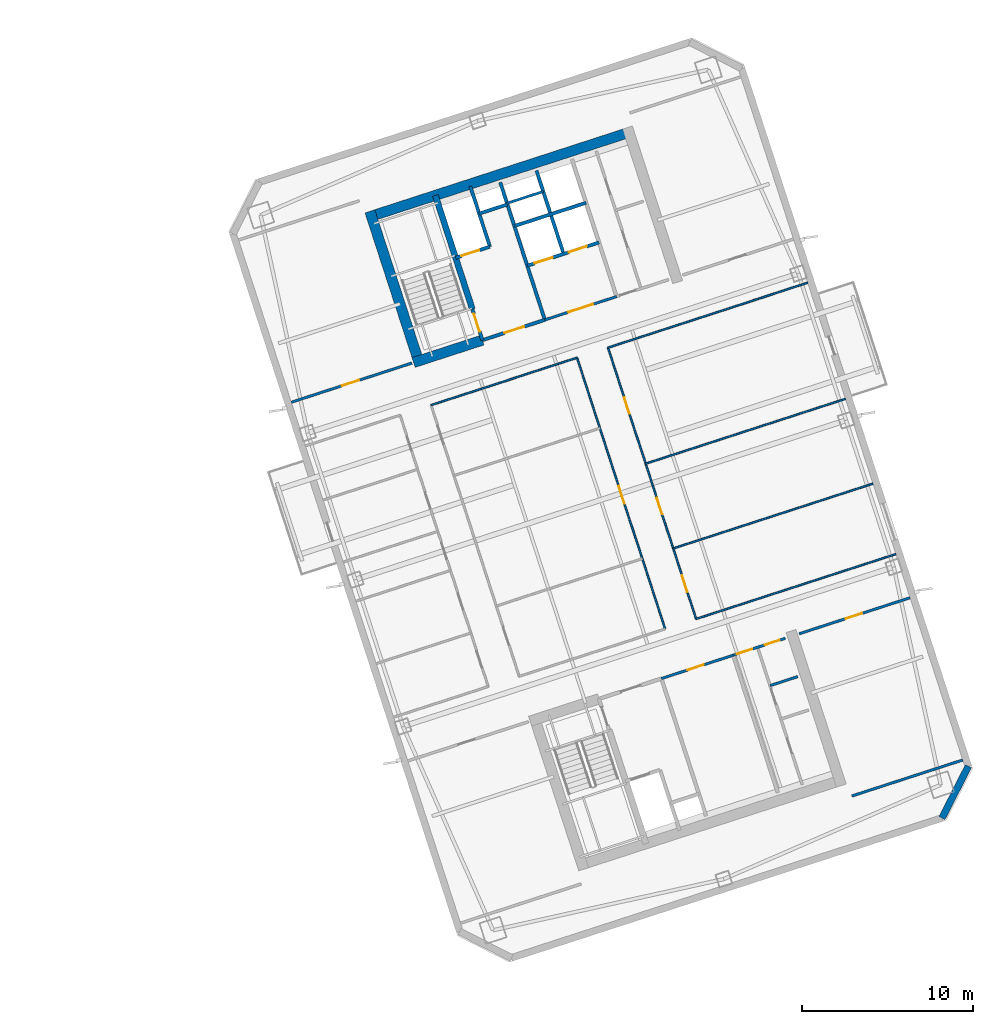
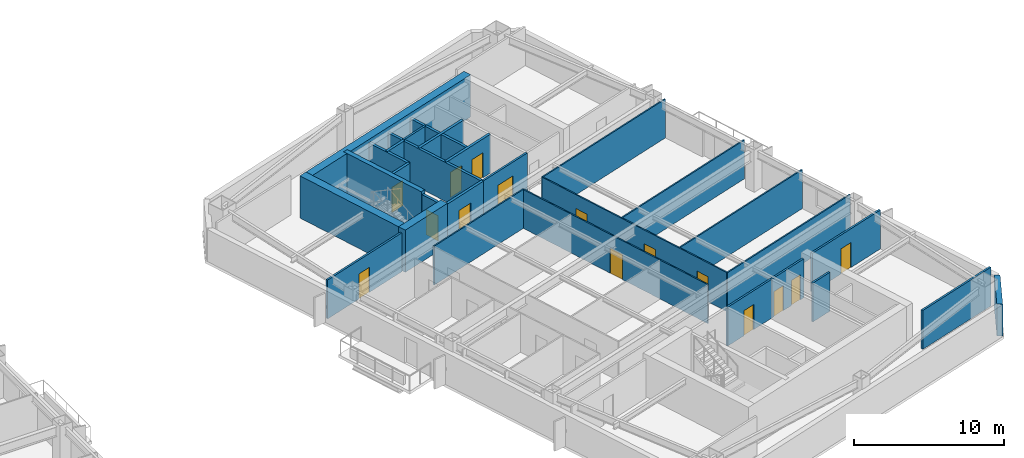
# One storey, part 9 of 17: 29 walls, 15 doors, 15 openings.
"""IFC4 building model written with IfcOpenShell, lengths in metres."""

from ifc_helpers import new_model, si_unit, direction, frame, frame_2d, origin, place, context, subcontext, project, spatial, rectangle, extrude, material, layer, layer_set, type_object, element, fill, save


model = new_model("IFC4")

# Units and contexts
model_context = context("Model", 3, precision=1e-05, world=origin(), true_north=direction((0.0, 1.0)))
body_context = subcontext(model_context, "Body", "Model", "MODEL_VIEW")
ifc_project = project(units=[si_unit("LENGTHUNIT", "METRE"), si_unit("AREAUNIT", "SQUARE_METRE"), si_unit("VOLUMEUNIT", "CUBIC_METRE"), si_unit("PLANEANGLEUNIT", "RADIAN"), si_unit("MASSUNIT", "GRAM", prefix="KILO")], contexts=[model_context])

# Site, building, storey
site_placement = place(None, origin())
site = spatial("IfcSite", under=ifc_project, at=site_placement, CompositionType="ELEMENT")
building_placement = place(site_placement, origin())
building = spatial("IfcBuilding", under=site, at=building_placement, Name="Qiaolan Cultural Towers", CompositionType="ELEMENT")
storey_placement = place(building_placement, frame((0.0, 0.0, 142.60009765625)))
storey = spatial("IfcBuildingStorey", under=building, at=storey_placement, Name="L37", CompositionType="ELEMENT", Elevation=142.60009765625)

# Walls
ifc_material_1 = material(Name="Concrete C50", Category="concrete")
ifc_layer_1 = layer(ifc_material_1, 0.35009765625)
ifc_layer_set_1 = layer_set([ifc_layer_1], Name="Concrete C50")
wall_type_1 = type_object("IfcWallType", Name="WL-CORE-350", PredefinedType="SHEAR", material=ifc_layer_set_1)
wall_1_placement = place(storey_placement, frame((82.513671875, 45.13134765625, 0.0), z_axis=(0.0, 0.0, 1.0), x_axis=(-0.308988790936, 0.951065679686, 0.0)))
element("IfcWall", 1, at=wall_1_placement, inside=storey, type_object=wall_type_1, Name="L37 T2-CN Stair Core Dividing Web", PredefinedType="SHEAR", context=body_context, shape_type="SweptSolid", body=[
    extrude(rectangle(XDim=6.97998046875, YDim=0.35009765625, at=frame_2d((3.489990234375, 0.0))), origin(), (0.0, 0.0, 1.0), 3.449951171875),
])
ifc_material_2 = material(Name="Concrete C55", Category="concrete")
ifc_layer_2 = layer(ifc_material_2, 0.60009765625)
ifc_layer_set_2 = layer_set([ifc_layer_2], Name="Concrete C55")
wall_type_2 = type_object("IfcWallType", Name="WL-CORE-600", PredefinedType="SHEAR", material=ifc_layer_set_2)
wall_2_placement = place(storey_placement, frame((76.343505859375, 50.4658203125, 0.0), z_axis=(0.0, 0.0, 1.0), x_axis=(0.951055727519, 0.309019421968, 0.0)))
element("IfcWall", 2, at=wall_2_placement, inside=storey, type_object=wall_type_2, Name="L37 T2-CN Outer Core Shear Wall", PredefinedType="SHEAR", context=body_context, shape_type="SweptSolid", body=[
    extrude(rectangle(XDim=16.39990234375, YDim=0.60009765625, at=frame_2d((8.199951171875, 0.0))), origin(), (0.0, 0.0, 1.0), 3.449951171875),
])
wall_3_placement = place(storey_placement, frame((79.465576171875, 41.827880859375, 0.0), z_axis=(0.0, 0.0, 1.0), x_axis=(-0.309041232772, 0.951048640421, 0.0)))
element("IfcWall", 3, at=wall_3_placement, inside=storey, type_object=wall_type_2, Name="L37 T2-CN West Core Shear Wall", PredefinedType="SHEAR", context=body_context, shape_type="SweptSolid", body=[
    extrude(rectangle(XDim=9.47998046875, YDim=0.60009765625, at=frame_2d((4.739990234375, 0.0))), origin(), (0.0, 0.0, 1.0), 3.449951171875),
])
wall_4_placement = place(storey_placement, frame((79.08740234375, 42.0205078125, 0.0), z_axis=(0.0, 0.0, 1.0), x_axis=(0.951062550203, 0.3089984233, 0.0)))
element("IfcWall", 4, at=wall_4_placement, inside=storey, type_object=wall_type_2, Name="L37 T2-CN Stair Front Shear Wall", PredefinedType="SHEAR", context=body_context, shape_type="SweptSolid", body=[
    extrude(rectangle(XDim=4.219970703125, YDim=0.60009765625, at=frame_2d((2.10986328125, 0.0))), origin(), (0.0, 0.0, 1.0), 3.449951171875),
])
ifc_material_3 = material(Name="Precast Concrete C50 Honed Stone Pier", Category="masonry")
ifc_layer_3 = layer(ifc_material_3, 0.39990234375)
ifc_layer_set_3 = layer_set([ifc_layer_3], Name="Precast Concrete C50 Honed Stone Pier")
wall_type_3 = type_object("IfcWallType", Name="WL-EXT-PIER-400", PredefinedType="SOLIDWALL", material=ifc_layer_set_3)
wall_5_placement = place(storey_placement, frame((111.449462890625, 18.468017578125, 0.0), z_axis=(0.0, 0.0, 1.0), x_axis=(-0.454019523198, -0.890991735402, 0.0)))
element("IfcWall", 5, at=wall_5_placement, inside=storey, type_object=wall_type_3, Name="L37 East Tower Precast Pier Facade Wall F6", PredefinedType="SOLIDWALL", context=body_context, shape_type="SweptSolid", body=[
    extrude(rectangle(XDim=3.39404296875, YDim=0.39990234375, at=frame_2d((1.697021484375, 0.0))), origin(), (0.0, 0.0, 1.0), 2.60986328125),
])

# Wall, opening, door
ifc_material_4 = material(Name="Concrete C35 Fire Wall", Category="concrete")
ifc_layer_4 = layer(ifc_material_4, 0.199951171875)
ifc_layer_set_4 = layer_set([ifc_layer_4], Name="Concrete C35 Fire Wall")
wall_type_4 = type_object("IfcWallType", Name="WL-FIRE-200", PredefinedType="PARTITIONING", material=ifc_layer_set_4)
wall_6_placement = place(storey_placement, frame((83.100830078125, 43.324462890625, 0.0), z_axis=(0.0, 0.0, 1.0), x_axis=(-0.309048298632, 0.951046344356, 0.0)))
wall_6 = element("IfcWall", 6, at=wall_6_placement, inside=storey, type_object=wall_type_4, Name="L37 T2-CN Smokeproof Stair Entry Wall", PredefinedType="PARTITIONING", context=body_context, shape_type="SweptSolid", body=[
    extrude(rectangle(XDim=1.89990234375, YDim=0.199951171875, at=frame_2d((0.949951171875, 0.0))), origin(), (0.0, 0.0, 1.0), 3.1748046875),
])
opening_1_placement = place(wall_6_placement, frame((0.52001953125, 0.0, 0.0)))
opening_1 = element("IfcOpeningElement", 7, at=opening_1_placement, cuts=wall_6, Name="Opening FD-04", PredefinedType="OPENING", context=body_context, shape_type="SweptSolid", body=[
    extrude(rectangle(XDim=1.10009765625, YDim=2.050048828125, at=frame_2d((0.550048828125, 1.02490234375))), frame((0.0, 0.10986328125, 0.0), z_axis=(0.0, -1.0, 0.0), x_axis=(1.0, 0.0, 0.0)), (0.0, 0.0, 1.0), 0.219970703125),
])
ifc_material_5 = material(Name="Galvanized Steel Command Fire Door", Category="steel")
door_type_1 = type_object("IfcDoorType", Name="DR-FD90-1100", OperationType="NOTDEFINED", PredefinedType="DOOR", material=ifc_material_5)
door_1_placement = place(opening_1_placement, origin())
door_1 = element("IfcDoor", 8, at=door_1_placement, inside=storey, type_object=door_type_1, Name="L37 ST-E2 Smokeproof Stair Fire Door", OperationType="SINGLE_SWING_LEFT", OverallHeight=2.050048828125, OverallWidth=1.10009765625, PredefinedType="DOOR", context=body_context, shape_type="SweptSolid", body=[
    extrude(rectangle(XDim=1.10009765625, YDim=2.050048828125, at=frame_2d((0.550048828125, 1.02490234375))), frame((0.0, 0.02490234375, 0.0), z_axis=(0.0, -1.0, 0.0), x_axis=(1.0, 0.0, 0.0)), (0.0, 0.0, 1.0), 0.050048828125),
])
fill(opening_1, door_1)

# Wall
wall_7_placement = place(storey_placement, frame((86.743408203125, 44.508056640625, 0.0), z_axis=(0.0, 0.0, 1.0), x_axis=(-0.309016001439, 0.951056838919, 0.0)))
element("IfcWall", 9, at=wall_7_placement, inside=storey, type_object=wall_type_4, Name="L37 T2-CN Firefighting Zone Wall", PredefinedType="PARTITIONING", context=body_context, shape_type="SweptSolid", body=[
    extrude(rectangle(XDim=8.429931640625, YDim=0.199951171875, at=frame_2d((4.21484375, 0.0))), origin(), (0.0, 0.0, 1.0), 3.1748046875),
])

# Wall, opening, door
wall_8_placement = place(storey_placement, frame((83.100830078125, 43.324462890625, 0.0), z_axis=(0.0, 0.0, 1.0), x_axis=(0.951052804469, 0.309028417967, 0.0)))
wall_8 = element("IfcWall", 10, at=wall_8_placement, inside=storey, type_object=wall_type_4, Name="L37 T2-CN Firefighting Lobby Front Wall", PredefinedType="PARTITIONING", context=body_context, shape_type="SweptSolid", body=[
    extrude(rectangle(XDim=3.830078125, YDim=0.199951171875, at=frame_2d((1.9150390625, 0.0))), origin(), (0.0, 0.0, 1.0), 3.1748046875),
])
opening_2_placement = place(wall_8_placement, frame((1.35009765625, 0.0, 0.0)))
opening_2 = element("IfcOpeningElement", 11, at=opening_2_placement, cuts=wall_8, Name="Opening FD-03", PredefinedType="OPENING", context=body_context, shape_type="SweptSolid", body=[
    extrude(rectangle(XDim=1.199951171875, YDim=2.050048828125, at=frame_2d((0.60009765625, 1.02490234375))), frame((0.0, 0.10986328125, 0.0), z_axis=(0.0, -1.0, 0.0), x_axis=(1.0, 0.0, 0.0)), (0.0, 0.0, 1.0), 0.219970703125),
])
ifc_material_6 = material(Name="Galvanized Steel Smokeproof Lobby Fire Door", Category="steel")
door_type_2 = type_object("IfcDoorType", Name="DR-FD90-1200", OperationType="NOTDEFINED", PredefinedType="DOOR", material=ifc_material_6)
door_2_placement = place(opening_2_placement, origin())
door_2 = element("IfcDoor", 12, at=door_2_placement, inside=storey, type_object=door_type_2, Name="L37 FFL-E2 Firefighting Lobby Fire Door", OperationType="SINGLE_SWING_LEFT", OverallHeight=2.050048828125, OverallWidth=1.199951171875, PredefinedType="DOOR", context=body_context, shape_type="SweptSolid", body=[
    extrude(rectangle(XDim=1.199951171875, YDim=2.050048828125, at=frame_2d((0.60009765625, 1.02490234375))), frame((0.0, 0.02490234375, 0.0), z_axis=(0.0, -1.0, 0.0), x_axis=(1.0, 0.0, 0.0)), (0.0, 0.0, 1.0), 0.050048828125),
])
fill(opening_2, door_2)

wall_9_placement = place(storey_placement, frame((81.540283203125, 48.127197265625, 0.0), z_axis=(0.0, 0.0, 1.0), x_axis=(0.951062257173, 0.308999325213, 0.0)))
wall_9 = element("IfcWall", 13, at=wall_9_placement, inside=storey, type_object=wall_type_4, Name="L37 T2-CN Firefighting Shaft Front Wall", PredefinedType="PARTITIONING", context=body_context, shape_type="SweptSolid", body=[
    extrude(rectangle(XDim=2.10009765625, YDim=0.199951171875, at=frame_2d((1.050048828125, 0.0))), origin(), (0.0, 0.0, 1.0), 3.1748046875),
])
opening_3_placement = place(wall_9_placement, frame((0.35009765625, 0.0, 0.0)))
opening_3 = element("IfcOpeningElement", 14, at=opening_3_placement, cuts=wall_9, Name="Opening LD-01", PredefinedType="OPENING", context=body_context, shape_type="SweptSolid", body=[
    extrude(rectangle(XDim=1.10009765625, YDim=2.050048828125, at=frame_2d((0.550048828125, 1.02490234375))), frame((0.0, 0.10986328125, 0.0), z_axis=(0.0, -1.0, 0.0), x_axis=(1.0, 0.0, 0.0)), (0.0, 0.0, 1.0), 0.219970703125),
])
ifc_material_7 = material(Name="Brushed Stainless Steel S30408 Centre-Parting Lift Landing Door", Category="steel")
door_type_3 = type_object("IfcDoorType", Name="DR-LIFT-1100", OperationType="NOTDEFINED", PredefinedType="DOOR", material=ifc_material_7)
door_3_placement = place(opening_3_placement, origin())
door_3 = element("IfcDoor", 15, at=door_3_placement, inside=storey, type_object=door_type_3, Name="L37 FFL-E2 Firefighting Lift Landing Door", OperationType="DOUBLE_DOOR_SLIDING", OverallHeight=2.050048828125, OverallWidth=1.10009765625, PredefinedType="DOOR", context=body_context, shape_type="SweptSolid", body=[
    extrude(rectangle(XDim=1.10009765625, YDim=2.050048828125, at=frame_2d((0.550048828125, 1.02490234375))), frame((0.0, 0.02490234375, 0.0), z_axis=(0.0, -1.0, 0.0), x_axis=(1.0, 0.0, 0.0)), (0.0, 0.0, 1.0), 0.050048828125),
])
fill(opening_3, door_3)

# Walls
wall_10_placement = place(storey_placement, frame((83.53759765625, 48.776123046875, 0.0), z_axis=(0.0, 0.0, 1.0), x_axis=(-0.3089935693, 0.951064127245, 0.0)))
element("IfcWall", 16, at=wall_10_placement, inside=storey, type_object=wall_type_4, Name="L37 T2-CN Firefighting Hoistway East Wall", PredefinedType="PARTITIONING", context=body_context, shape_type="SweptSolid", body=[
    extrude(rectangle(XDim=3.7001953125, YDim=0.199951171875, at=frame_2d((1.85009765625, 0.0))), origin(), (0.0, 0.0, 1.0), 3.1748046875),
])
wall_11_placement = place(storey_placement, frame((82.910400390625, 50.706787109375, 0.0), z_axis=(0.0, 0.0, 1.0), x_axis=(0.951041328149, 0.309063734775, 0.0)))
element("IfcWall", 17, at=wall_11_placement, inside=storey, type_object=wall_type_4, Name="L37 T2-CN Pressurization Shaft Front Wall", PredefinedType="PARTITIONING", context=body_context, shape_type="SweptSolid", body=[
    extrude(rectangle(XDim=1.72998046875, YDim=0.199951171875, at=frame_2d((0.864990234375, 0.0))), origin(), (0.0, 0.0, 1.0), 3.1748046875),
])

# Wall, openings, doors
wall_12_placement = place(storey_placement, frame((85.717529296875, 47.66552734375, 0.0), z_axis=(0.0, 0.0, 1.0), x_axis=(0.951058531764, 0.30901079133, 0.0)))
wall_12 = element("IfcWall", 18, at=wall_12_placement, inside=storey, type_object=wall_type_4, Name="L37 T2-CN Passenger Lift Shaft Front Wall", PredefinedType="PARTITIONING", context=body_context, shape_type="SweptSolid", body=[
    extrude(rectangle(XDim=4.39990234375, YDim=0.199951171875, at=frame_2d((2.199951171875, 0.0))), origin(), (0.0, 0.0, 1.0), 3.1748046875),
])
opening_4_placement = place(wall_12_placement, frame((0.449951171875, 0.0, 0.0)))
opening_4 = element("IfcOpeningElement", 19, at=opening_4_placement, cuts=wall_12, Name="Opening LD-01", PredefinedType="OPENING", context=body_context, shape_type="SweptSolid", body=[
    extrude(rectangle(XDim=1.10009765625, YDim=2.050048828125, at=frame_2d((0.550048828125, 1.02490234375))), frame((0.0, 0.10986328125, 0.0), z_axis=(0.0, -1.0, 0.0), x_axis=(1.0, 0.0, 0.0)), (0.0, 0.0, 1.0), 0.219970703125),
])
opening_5_placement = place(wall_12_placement, frame((2.550048828125, 0.0, 0.0)))
opening_5 = element("IfcOpeningElement", 20, at=opening_5_placement, cuts=wall_12, Name="Opening LD-01", PredefinedType="OPENING", context=body_context, shape_type="SweptSolid", body=[
    extrude(rectangle(XDim=1.10009765625, YDim=2.050048828125, at=frame_2d((0.550048828125, 1.02490234375))), frame((0.0, 0.10986328125, 0.0), z_axis=(0.0, -1.0, 0.0), x_axis=(1.0, 0.0, 0.0)), (0.0, 0.0, 1.0), 0.219970703125),
])
door_4_placement = place(opening_4_placement, origin())
door_4 = element("IfcDoor", 21, at=door_4_placement, inside=storey, type_object=door_type_3, Name="L37 Passenger Lift 1 Landing Door", OperationType="DOUBLE_DOOR_SLIDING", OverallHeight=2.050048828125, OverallWidth=1.10009765625, PredefinedType="DOOR", context=body_context, shape_type="SweptSolid", body=[
    extrude(rectangle(XDim=1.10009765625, YDim=2.050048828125, at=frame_2d((0.550048828125, 1.02490234375))), frame((0.0, 0.02490234375, 0.0), z_axis=(0.0, -1.0, 0.0), x_axis=(1.0, 0.0, 0.0)), (0.0, 0.0, 1.0), 0.050048828125),
])
fill(opening_4, door_4)
door_5_placement = place(opening_5_placement, origin())
door_5 = element("IfcDoor", 22, at=door_5_placement, inside=storey, type_object=door_type_3, Name="L37 Passenger Lift 2 Landing Door", OperationType="DOUBLE_DOOR_SLIDING", OverallHeight=2.050048828125, OverallWidth=1.10009765625, PredefinedType="DOOR", context=body_context, shape_type="SweptSolid", body=[
    extrude(rectangle(XDim=1.10009765625, YDim=2.050048828125, at=frame_2d((0.550048828125, 1.02490234375))), frame((0.0, 0.02490234375, 0.0), z_axis=(0.0, -1.0, 0.0), x_axis=(1.0, 0.0, 0.0)), (0.0, 0.0, 1.0), 0.050048828125),
])
fill(opening_5, door_5)

# Walls
wall_13_placement = place(storey_placement, frame((87.83837890625, 48.3544921875, 0.0), z_axis=(0.0, 0.0, 1.0), x_axis=(-0.3090093719, 0.951058992953, 0.0)))
element("IfcWall", 23, at=wall_13_placement, inside=storey, type_object=wall_type_4, Name="L37 T2-CN Lift Shaft Divider Wall", PredefinedType="PARTITIONING", context=body_context, shape_type="SweptSolid", body=[
    extrude(rectangle(XDim=5.110107421875, YDim=0.199951171875, at=frame_2d((2.55517578125, 0.0))), origin(), (0.0, 0.0, 1.0), 3.1748046875),
])
wall_14_placement = place(storey_placement, frame((84.966552734375, 49.9765625, 0.0), z_axis=(0.0, 0.0, 1.0), x_axis=(0.951063829732, 0.308994485023, 0.0)))
element("IfcWall", 24, at=wall_14_placement, inside=storey, type_object=wall_type_4, Name="L37 T2-CN Passenger Lift Shaft Back Wall", PredefinedType="PARTITIONING", context=body_context, shape_type="SweptSolid", body=[
    extrude(rectangle(XDim=4.400146484375, YDim=0.199951171875, at=frame_2d((2.2001953125, 0.0))), origin(), (0.0, 0.0, 1.0), 3.1748046875),
])
ifc_material_8 = material(Name="Acoustic Double-Glazed Partition Frame", Category="glass")
ifc_layer_5 = layer(ifc_material_8, 0.10009765625)
ifc_layer_set_5 = layer_set([ifc_layer_5], Name="Acoustic Double-Glazed Partition Frame")
wall_type_5 = type_object("IfcWallType", Name="WL-GLAZED-100", PredefinedType="MOVABLE", material=ifc_layer_set_5)
wall_15_placement = place(storey_placement, frame((95.56689453125, 27.060546875, 0.0), z_axis=(0.0, 0.0, 1.0), x_axis=(0.9510516424, 0.30903199428, 0.0)))
element("IfcWall", 25, at=wall_15_placement, inside=storey, type_object=wall_type_5, Name="L37 T2 Interior Wall", PredefinedType="MOVABLE", context=body_context, shape_type="SweptSolid", body=[
    extrude(rectangle(XDim=12.25, YDim=0.10009765625, at=frame_2d((6.125, 0.0))), origin(), (0.0, 0.0, 1.0), 3.1748046875),
])
wall_16_placement = place(storey_placement, frame((80.10595703125, 39.533447265625, 0.0), z_axis=(0.0, 0.0, 1.0), x_axis=(0.951059123431, 0.309008970321, 0.0)))
element("IfcWall", 26, at=wall_16_placement, inside=storey, type_object=wall_type_5, Name="L37 T2 Interior Wall", PredefinedType="MOVABLE", context=body_context, shape_type="SweptSolid", body=[
    extrude(rectangle(XDim=8.949951171875, YDim=0.10009765625, at=frame_2d((4.47509765625, 0.0))), origin(), (0.0, 0.0, 1.0), 3.1748046875),
])
wall_17_placement = place(storey_placement, frame((90.4248046875, 42.88623046875, 0.0), z_axis=(0.0, 0.0, 1.0), x_axis=(0.95105749975, 0.309013967595, 0.0)))
element("IfcWall", 27, at=wall_17_placement, inside=storey, type_object=wall_type_5, Name="L37 T2 Interior Wall", PredefinedType="MOVABLE", context=body_context, shape_type="SweptSolid", body=[
    extrude(rectangle(XDim=12.25, YDim=0.10009765625, at=frame_2d((6.125, 0.0))), origin(), (0.0, 0.0, 1.0), 3.1748046875),
])

# Wall, opening, door
wall_18_placement = place(storey_placement, frame((93.759765625, 26.473388671875, 0.0), z_axis=(0.0, 0.0, 1.0), x_axis=(-0.309004459387, 0.951060589068, 0.0)))
wall_18 = element("IfcWall", 28, at=wall_18_placement, inside=storey, type_object=wall_type_5, Name="L37 T2 Interior Wall", PredefinedType="MOVABLE", context=body_context, shape_type="SweptSolid", body=[
    extrude(rectangle(XDim=16.64013671875, YDim=0.10009765625, at=frame_2d((8.320068359375, 0.0))), origin(), (0.0, 0.0, 1.0), 3.1748046875),
])
opening_6_placement = place(wall_18_placement, frame((7.679931640625, 0.0, 0.0)))
opening_6 = element("IfcOpeningElement", 29, at=opening_6_placement, cuts=wall_18, Name="Opening ID-03", PredefinedType="OPENING", context=body_context, shape_type="SweptSolid", body=[
    extrude(rectangle(XDim=1.10009765625, YDim=2.050048828125, at=frame_2d((0.550048828125, 1.02490234375))), frame((0.0, 0.06005859375, 0.0), z_axis=(0.0, -1.0, 0.0), x_axis=(1.0, 0.0, 0.0)), (0.0, 0.0, 1.0), 0.1201171875),
])
ifc_material_9 = material(Name="Oak Veneer Solid-Core Boardroom Door", Category="timber")
door_type_4 = type_object("IfcDoorType", Name="DR-INT-1100", OperationType="NOTDEFINED", PredefinedType="DOOR", material=ifc_material_9)
door_6_placement = place(opening_6_placement, origin())
door_6 = element("IfcDoor", 30, at=door_6_placement, inside=storey, type_object=door_type_4, Name="L37 T2 Central Study Salon Door", OperationType="SINGLE_SWING_LEFT", OverallHeight=2.050048828125, OverallWidth=1.10009765625, PredefinedType="DOOR", context=body_context, shape_type="SweptSolid", body=[
    extrude(rectangle(XDim=1.10009765625, YDim=2.050048828125, at=frame_2d((0.550048828125, 1.02490234375))), frame((0.0, 0.02490234375, 0.0), z_axis=(0.0, -1.0, 0.0), x_axis=(1.0, 0.0, 0.0)), (0.0, 0.0, 1.0), 0.050048828125),
])
fill(opening_6, door_6)

# Wall, openings, doors
wall_19_placement = place(storey_placement, frame((95.56689453125, 27.060546875, 0.0), z_axis=(0.0, 0.0, 1.0), x_axis=(-0.30901773025, 0.951056277195, 0.0)))
wall_19 = element("IfcWall", 31, at=wall_19_placement, inside=storey, type_object=wall_type_5, Name="L37 T2 Interior Wall", PredefinedType="MOVABLE", context=body_context, shape_type="SweptSolid", body=[
    extrude(rectangle(XDim=16.64013671875, YDim=0.10009765625, at=frame_2d((8.320068359375, 0.0))), origin(), (0.0, 0.0, 1.0), 3.1748046875),
])
opening_7_placement = place(wall_19_placement, frame((1.659912109375, 0.0, 0.0)))
opening_7 = element("IfcOpeningElement", 32, at=opening_7_placement, cuts=wall_19, Name="Opening ID-04", PredefinedType="OPENING", context=body_context, shape_type="SweptSolid", body=[
    extrude(rectangle(XDim=1.0, YDim=2.050048828125, at=frame_2d((0.5, 1.02490234375))), frame((0.0, 0.06005859375, 0.0), z_axis=(0.0, -1.0, 0.0), x_axis=(1.0, 0.0, 0.0)), (0.0, 0.0, 1.0), 0.1201171875),
])
opening_8_placement = place(wall_19_placement, frame((6.419921875, 0.0, 0.0)))
opening_8 = element("IfcOpeningElement", 33, at=opening_8_placement, cuts=wall_19, Name="Opening ID-04", PredefinedType="OPENING", context=body_context, shape_type="SweptSolid", body=[
    extrude(rectangle(XDim=1.0, YDim=2.050048828125, at=frame_2d((0.5, 1.02490234375))), frame((0.0, 0.06005859375, 0.0), z_axis=(0.0, -1.0, 0.0), x_axis=(1.0, 0.0, 0.0)), (0.0, 0.0, 1.0), 0.1201171875),
])
opening_9_placement = place(wall_19_placement, frame((12.580078125, 0.0, 0.0)))
opening_9 = element("IfcOpeningElement", 34, at=opening_9_placement, cuts=wall_19, Name="Opening ID-04", PredefinedType="OPENING", context=body_context, shape_type="SweptSolid", body=[
    extrude(rectangle(XDim=1.0, YDim=2.050048828125, at=frame_2d((0.5, 1.02490234375))), frame((0.0, 0.06005859375, 0.0), z_axis=(0.0, -1.0, 0.0), x_axis=(1.0, 0.0, 0.0)), (0.0, 0.0, 1.0), 0.1201171875),
])
ifc_material_10 = material(Name="Oak Veneer Acoustic Office Door", Category="timber")
door_type_5 = type_object("IfcDoorType", Name="DR-INT-1000", OperationType="NOTDEFINED", PredefinedType="DOOR", material=ifc_material_10)
door_7_placement = place(opening_7_placement, origin())
door_7 = element("IfcDoor", 35, at=door_7_placement, inside=storey, type_object=door_type_5, Name="L37 T2 Urban Exhibition Hall Door", OperationType="SINGLE_SWING_RIGHT", OverallHeight=2.050048828125, OverallWidth=1.0, PredefinedType="DOOR", context=body_context, shape_type="SweptSolid", body=[
    extrude(rectangle(XDim=1.0, YDim=2.050048828125, at=frame_2d((0.5, 1.02490234375))), frame((0.0, 0.02490234375, 0.0), z_axis=(0.0, -1.0, 0.0), x_axis=(1.0, 0.0, 0.0)), (0.0, 0.0, 1.0), 0.050048828125),
])
fill(opening_7, door_7)
door_8_placement = place(opening_8_placement, origin())
door_8 = element("IfcDoor", 36, at=door_8_placement, inside=storey, type_object=door_type_5, Name="L37 T2 Urban Exhibition Hall Door", OperationType="SINGLE_SWING_LEFT", OverallHeight=2.050048828125, OverallWidth=1.0, PredefinedType="DOOR", context=body_context, shape_type="SweptSolid", body=[
    extrude(rectangle(XDim=1.0, YDim=2.050048828125, at=frame_2d((0.5, 1.02490234375))), frame((0.0, 0.02490234375, 0.0), z_axis=(0.0, -1.0, 0.0), x_axis=(1.0, 0.0, 0.0)), (0.0, 0.0, 1.0), 0.050048828125),
])
fill(opening_8, door_8)
door_9_placement = place(opening_9_placement, origin())
door_9 = element("IfcDoor", 37, at=door_9_placement, inside=storey, type_object=door_type_5, Name="L37 T2 Print & Book Counter Door", OperationType="SINGLE_SWING_RIGHT", OverallHeight=2.050048828125, OverallWidth=1.0, PredefinedType="DOOR", context=body_context, shape_type="SweptSolid", body=[
    extrude(rectangle(XDim=1.0, YDim=2.050048828125, at=frame_2d((0.5, 1.02490234375))), frame((0.0, 0.02490234375, 0.0), z_axis=(0.0, -1.0, 0.0), x_axis=(1.0, 0.0, 0.0)), (0.0, 0.0, 1.0), 0.050048828125),
])
fill(opening_9, door_9)

# Walls
for number, where, z_axis, x_axis, name in (
    (38, (94.23193359375, 31.169189453125, 0.0), (0.0, 0.0, 1.0), (0.95105749975, 0.309013967595, 0.0), "L37 T2 Interior Wall"),
    (39, (92.625, 36.11474609375, 0.0), (0.0, 0.0, 1.0), (0.95105749975, 0.309013967595, 0.0), "L37 T2 Interior Wall"),
):
    element("IfcWall", number, at=place(storey_placement, frame(where, z_axis=z_axis, x_axis=x_axis)), inside=storey, type_object=wall_type_5, Name=name, PredefinedType="MOVABLE", context=body_context, shape_type="SweptSolid", body=[
        extrude(rectangle(XDim=12.25, YDim=0.10009765625, at=frame_2d((6.125, 0.0))), origin(), (0.0, 0.0, 1.0), 3.1748046875),
    ])

# Wall, opening, door
ifc_material_11 = material(Name="Autoclaved Aerated Concrete Block B06", Category="concrete")
ifc_layer_6 = layer(ifc_material_11, 0.14990234375)
ifc_layer_set_6 = layer_set([ifc_layer_6], Name="Autoclaved Aerated Concrete Block B06")
wall_type_6 = type_object("IfcWallType", Name="WL-PART-150", PredefinedType="PARTITIONING", material=ifc_layer_set_6)
wall_20_placement = place(storey_placement, frame((93.541748046875, 23.584716796875, 0.0), z_axis=(0.0, 0.0, 1.0), x_axis=(0.951063829732, 0.308994485023, 0.0)))
wall_20 = element("IfcWall", 40, at=wall_20_placement, inside=storey, type_object=wall_type_6, Name="L37 T2-CS Reclaimed Core Room Front Wall", PredefinedType="PARTITIONING", context=body_context, shape_type="SweptSolid", body=[
    extrude(rectangle(XDim=4.400146484375, YDim=0.14990234375, at=frame_2d((2.2001953125, 0.0))), origin(), (0.0, 0.0, 1.0), 3.1748046875),
])
opening_10_placement = place(wall_20_placement, frame((1.60009765625, 0.0, 0.0)))
opening_10 = element("IfcOpeningElement", 41, at=opening_10_placement, cuts=wall_20, Name="Opening ID-04", PredefinedType="OPENING", context=body_context, shape_type="SweptSolid", body=[
    extrude(rectangle(XDim=1.0, YDim=2.050048828125, at=frame_2d((0.5, 1.02490234375))), frame((0.0, 0.0849609375, 0.0), z_axis=(0.0, -1.0, 0.0), x_axis=(1.0, 0.0, 0.0)), (0.0, 0.0, 1.0), 0.169921875),
])
door_10_placement = place(opening_10_placement, origin())
door_10 = element("IfcDoor", 42, at=door_10_placement, inside=storey, type_object=door_type_5, Name="L37 Reclaimed Archive Room Door", OperationType="SINGLE_SWING_LEFT", OverallHeight=2.050048828125, OverallWidth=1.0, PredefinedType="DOOR", context=body_context, shape_type="SweptSolid", body=[
    extrude(rectangle(XDim=1.0, YDim=2.050048828125, at=frame_2d((0.5, 1.02490234375))), frame((0.0, 0.02490234375, 0.0), z_axis=(0.0, -1.0, 0.0), x_axis=(1.0, 0.0, 0.0)), (0.0, 0.0, 1.0), 0.050048828125),
])
fill(opening_10, door_10)

# Wall, openings, doors
wall_21_placement = place(storey_placement, frame((97.7265625, 24.9443359375, 0.0), z_axis=(0.0, 0.0, 1.0), x_axis=(0.951036872128, 0.309077446369, 0.0)))
wall_21 = element("IfcWall", 43, at=wall_21_placement, inside=storey, type_object=wall_type_6, Name="L37 T2-CS Sanitary Core Front Wall", PredefinedType="PARTITIONING", context=body_context, shape_type="SweptSolid", body=[
    extrude(rectangle(XDim=3.199951171875, YDim=0.14990234375, at=frame_2d((1.60009765625, 0.0))), origin(), (0.0, 0.0, 1.0), 3.1748046875),
])
opening_11_placement = place(wall_21_placement, frame((0.219970703125, 0.0, 0.0)))
opening_11 = element("IfcOpeningElement", 44, at=opening_11_placement, cuts=wall_21, Name="Opening ID-05", PredefinedType="OPENING", context=body_context, shape_type="SweptSolid", body=[
    extrude(rectangle(XDim=0.949951171875, YDim=2.050048828125, at=frame_2d((0.47509765625, 1.02490234375))), frame((0.0, 0.0849609375, 0.0), z_axis=(0.0, -1.0, 0.0), x_axis=(1.0, 0.0, 0.0)), (0.0, 0.0, 1.0), 0.169921875),
])
opening_12_placement = place(wall_21_placement, frame((1.949951171875, 0.0, 0.0)))
opening_12 = element("IfcOpeningElement", 45, at=opening_12_placement, cuts=wall_21, Name="Opening ID-06", PredefinedType="OPENING", context=body_context, shape_type="SweptSolid", body=[
    extrude(rectangle(XDim=0.89990234375, YDim=2.050048828125, at=frame_2d((0.449951171875, 1.02490234375))), frame((0.0, 0.0849609375, 0.0), z_axis=(0.0, -1.0, 0.0), x_axis=(1.0, 0.0, 0.0)), (0.0, 0.0, 1.0), 0.169921875),
])
ifc_material_12 = material(Name="Fire-Rated Laminate Core Service Door", Category="timber")
door_type_6 = type_object("IfcDoorType", Name="DR-INT-900", OperationType="NOTDEFINED", PredefinedType="DOOR", material=ifc_material_12)
door_11_placement = place(opening_12_placement, origin())
door_11 = element("IfcDoor", 46, at=door_11_placement, inside=storey, type_object=door_type_6, Name="L37 Core Tea Pantry Door", OperationType="SINGLE_SWING_RIGHT", OverallHeight=2.050048828125, OverallWidth=0.89990234375, PredefinedType="DOOR", context=body_context, shape_type="SweptSolid", body=[
    extrude(rectangle(XDim=0.89990234375, YDim=2.050048828125, at=frame_2d((0.449951171875, 1.02490234375))), frame((0.0, 0.02490234375, 0.0), z_axis=(0.0, -1.0, 0.0), x_axis=(1.0, 0.0, 0.0)), (0.0, 0.0, 1.0), 0.050048828125),
])
fill(opening_12, door_11)
ifc_material_13 = material(Name="Fire-Rated Laminate Accessible Core Door", Category="timber")
door_type_7 = type_object("IfcDoorType", Name="DR-INT-950", OperationType="NOTDEFINED", PredefinedType="DOOR", material=ifc_material_13)
door_12_placement = place(opening_11_placement, origin())
door_12 = element("IfcDoor", 47, at=door_12_placement, inside=storey, type_object=door_type_7, Name="L37 Sanitary Passage Door", OperationType="SINGLE_SWING_LEFT", OverallHeight=2.050048828125, OverallWidth=0.949951171875, PredefinedType="DOOR", context=body_context, shape_type="SweptSolid", body=[
    extrude(rectangle(XDim=0.949951171875, YDim=2.050048828125, at=frame_2d((0.47509765625, 1.02490234375))), frame((0.0, 0.02490234375, 0.0), z_axis=(0.0, -1.0, 0.0), x_axis=(1.0, 0.0, 0.0)), (0.0, 0.0, 1.0), 0.050048828125),
])
fill(opening_11, door_12)

# Wall
wall_22_placement = place(storey_placement, frame((99.879150390625, 23.1728515625, 0.0), z_axis=(0.0, 0.0, 1.0), x_axis=(0.951054116971, 0.309024378638, 0.0)))
element("IfcWall", 48, at=wall_22_placement, inside=storey, type_object=wall_type_6, Name="L37 T2-CS Core Pantry Wall", PredefinedType="PARTITIONING", context=body_context, shape_type="SweptSolid", body=[
    extrude(rectangle(XDim=1.7001953125, YDim=0.14990234375, at=frame_2d((0.85009765625, 0.0))), origin(), (0.0, 0.0, 1.0), 3.1748046875),
])

# Wall, opening, door
wall_23_placement = place(storey_placement, frame((86.743408203125, 44.508056640625, 0.0), z_axis=(0.0, 0.0, 1.0), x_axis=(0.951063829732, 0.308994485023, 0.0)))
wall_23 = element("IfcWall", 49, at=wall_23_placement, inside=storey, type_object=wall_type_6, Name="L37 T2-CN Passenger Lift Lobby Front Wall", PredefinedType="PARTITIONING", context=body_context, shape_type="SweptSolid", body=[
    extrude(rectangle(XDim=4.400146484375, YDim=0.14990234375, at=frame_2d((2.2001953125, 0.0))), origin(), (0.0, 0.0, 1.0), 3.1748046875),
])
opening_13_placement = place(wall_23_placement, frame((1.449951171875, 0.0, 0.0)))
opening_13 = element("IfcOpeningElement", 50, at=opening_13_placement, cuts=wall_23, Name="Opening FD-05", PredefinedType="OPENING", context=body_context, shape_type="SweptSolid", body=[
    extrude(rectangle(XDim=1.5, YDim=2.050048828125, at=frame_2d((0.75, 1.02490234375))), frame((0.0, 0.0849609375, 0.0), z_axis=(0.0, -1.0, 0.0), x_axis=(1.0, 0.0, 0.0)), (0.0, 0.0, 1.0), 0.169921875),
])
ifc_material_14 = material(Name="Painted Steel Lift Lobby Fire Door", Category="steel")
door_type_8 = type_object("IfcDoorType", Name="DR-FD60-1500", OperationType="NOTDEFINED", PredefinedType="DOOR", material=ifc_material_14)
door_13_placement = place(opening_13_placement, origin())
door_13 = element("IfcDoor", 51, at=door_13_placement, inside=storey, type_object=door_type_8, Name="L37 Passenger Lift Lobby Entrance", OperationType="SINGLE_SWING_LEFT", OverallHeight=2.050048828125, OverallWidth=1.5, PredefinedType="DOOR", context=body_context, shape_type="SweptSolid", body=[
    extrude(rectangle(XDim=1.5, YDim=2.050048828125, at=frame_2d((0.75, 1.02490234375))), frame((0.0, 0.02490234375, 0.0), z_axis=(0.0, -1.0, 0.0), x_axis=(1.0, 0.0, 0.0)), (0.0, 0.0, 1.0), 0.050048828125),
])
fill(opening_13, door_13)

# Walls
wall_24_placement = place(storey_placement, frame((84.533935546875, 51.30810546875, 0.0), z_axis=(0.0, 0.0, 1.0), x_axis=(0.951075093106, 0.308959814982, 0.0)))
element("IfcWall", 52, at=wall_24_placement, inside=storey, type_object=wall_type_6, Name="L37 T2-CN Core Rear Riser Split", PredefinedType="PARTITIONING", context=body_context, shape_type="SweptSolid", body=[
    extrude(rectangle(XDim=2.22998046875, YDim=0.14990234375, at=frame_2d((1.114990234375, 0.0))), origin(), (0.0, 0.0, 1.0), 3.1748046875),
])
wall_25_placement = place(storey_placement, frame((104.653076171875, 16.73291015625, 0.0), z_axis=(0.0, 0.0, 1.0), x_axis=(0.951054383043, 0.309023559774, 0.0)))
element("IfcWall", 53, at=wall_25_placement, inside=storey, type_object=wall_type_6, Name="L37 T2 Flank Wall FLK-SE", PredefinedType="PARTITIONING", context=body_context, shape_type="SweptSolid", body=[
    extrude(rectangle(XDim=6.7998046875, YDim=0.14990234375, at=frame_2d((3.39990234375, 0.0))), origin(), (0.0, 0.0, 1.0), 3.1748046875),
])

# Wall, opening, door
wall_26_placement = place(storey_placement, frame((101.578369140625, 26.196044921875, 0.0), z_axis=(0.0, 0.0, 1.0), x_axis=(0.951064934653, 0.308991084134, 0.0)))
wall_26 = element("IfcWall", 54, at=wall_26_placement, inside=storey, type_object=wall_type_6, Name="L37 T2 Flank Front FLK-SE", PredefinedType="PARTITIONING", context=body_context, shape_type="SweptSolid", body=[
    extrude(rectangle(XDim=6.7998046875, YDim=0.14990234375, at=frame_2d((3.39990234375, 0.0))), origin(), (0.0, 0.0, 1.0), 3.1748046875),
])
opening_14_placement = place(wall_26_placement, frame((2.85595703125, 0.0, 0.0)))
opening_14 = element("IfcOpeningElement", 55, at=opening_14_placement, cuts=wall_26, Name="Opening ID-04", PredefinedType="OPENING", context=body_context, shape_type="SweptSolid", body=[
    extrude(rectangle(XDim=1.0, YDim=2.050048828125, at=frame_2d((0.5, 1.02490234375))), frame((0.0, 0.0849609375, 0.0), z_axis=(0.0, -1.0, 0.0), x_axis=(1.0, 0.0, 0.0)), (0.0, 0.0, 1.0), 0.169921875),
])
door_14_placement = place(opening_14_placement, origin())
door_14 = element("IfcDoor", 56, at=door_14_placement, inside=storey, type_object=door_type_5, Name="L37 T2 Corner Studio Door", OperationType="SINGLE_SWING_LEFT", OverallHeight=2.050048828125, OverallWidth=1.0, PredefinedType="DOOR", context=body_context, shape_type="SweptSolid", body=[
    extrude(rectangle(XDim=1.0, YDim=2.050048828125, at=frame_2d((0.5, 1.02490234375))), frame((0.0, 0.02490234375, 0.0), z_axis=(0.0, -1.0, 0.0), x_axis=(1.0, 0.0, 0.0)), (0.0, 0.0, 1.0), 0.050048828125),
])
fill(opening_14, door_14)

wall_27_placement = place(storey_placement, frame((71.95458984375, 39.702880859375, 0.0), z_axis=(0.0, 0.0, 1.0), x_axis=(0.951060977215, 0.309003264738, 0.0)))
wall_27 = element("IfcWall", 57, at=wall_27_placement, inside=storey, type_object=wall_type_6, Name="L37 T2 Flank Front FLK-NW", PredefinedType="PARTITIONING", context=body_context, shape_type="SweptSolid", body=[
    extrude(rectangle(XDim=7.39990234375, YDim=0.14990234375, at=frame_2d((3.699951171875, 0.0))), origin(), (0.0, 0.0, 1.0), 3.1748046875),
])
opening_15_placement = place(wall_27_placement, frame((3.10791015625, 0.0, 0.0)))
opening_15 = element("IfcOpeningElement", 58, at=opening_15_placement, cuts=wall_27, Name="Opening ID-07", PredefinedType="OPENING", context=body_context, shape_type="SweptSolid", body=[
    extrude(rectangle(XDim=1.050048828125, YDim=2.050048828125, at=frame_2d((0.52490234375, 1.02490234375))), frame((0.0, 0.0849609375, 0.0), z_axis=(0.0, -1.0, 0.0), x_axis=(1.0, 0.0, 0.0)), (0.0, 0.0, 1.0), 0.169921875),
])
ifc_material_15 = material(Name="Oak Veneer Consultation Door", Category="timber")
door_type_9 = type_object("IfcDoorType", Name="DR-INT-1050", OperationType="NOTDEFINED", PredefinedType="DOOR", material=ifc_material_15)
door_15_placement = place(opening_15_placement, origin())
door_15 = element("IfcDoor", 59, at=door_15_placement, inside=storey, type_object=door_type_9, Name="L37 T2 Corner Studio Door", OperationType="SINGLE_SWING_LEFT", OverallHeight=2.050048828125, OverallWidth=1.050048828125, PredefinedType="DOOR", context=body_context, shape_type="SweptSolid", body=[
    extrude(rectangle(XDim=1.050048828125, YDim=2.050048828125, at=frame_2d((0.52490234375, 1.02490234375))), frame((0.0, 0.02490234375, 0.0), z_axis=(0.0, -1.0, 0.0), x_axis=(1.0, 0.0, 0.0)), (0.0, 0.0, 1.0), 0.050048828125),
])
fill(opening_15, door_15)

save(model, "model.ifc")
